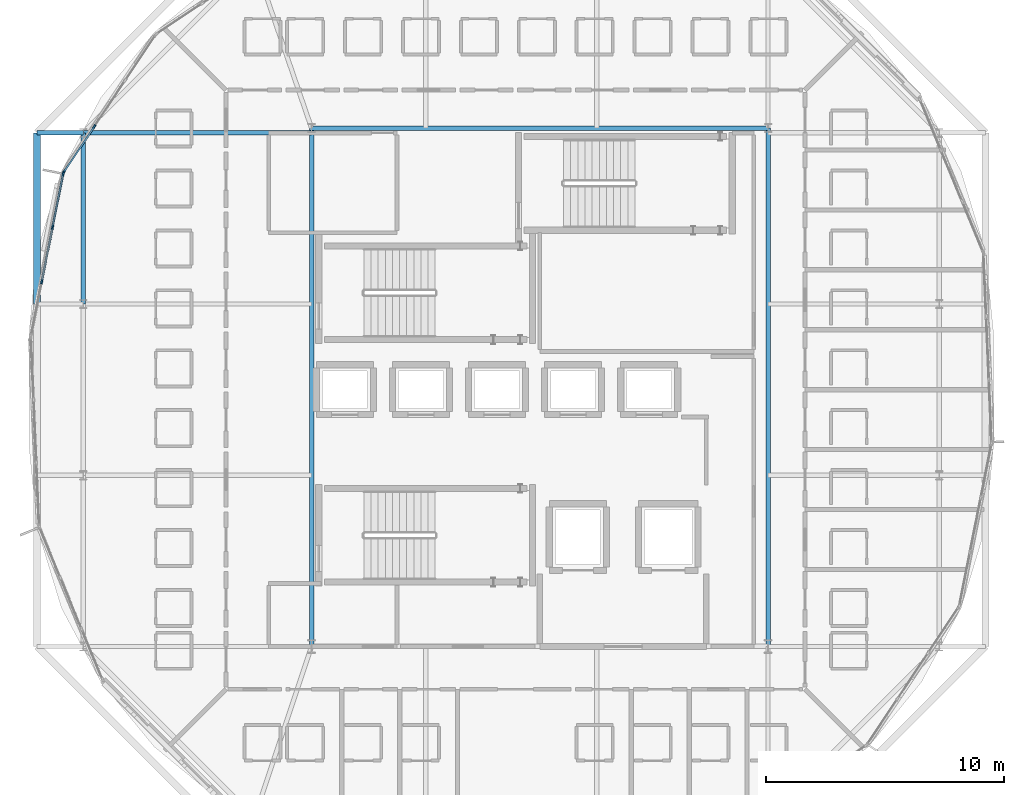
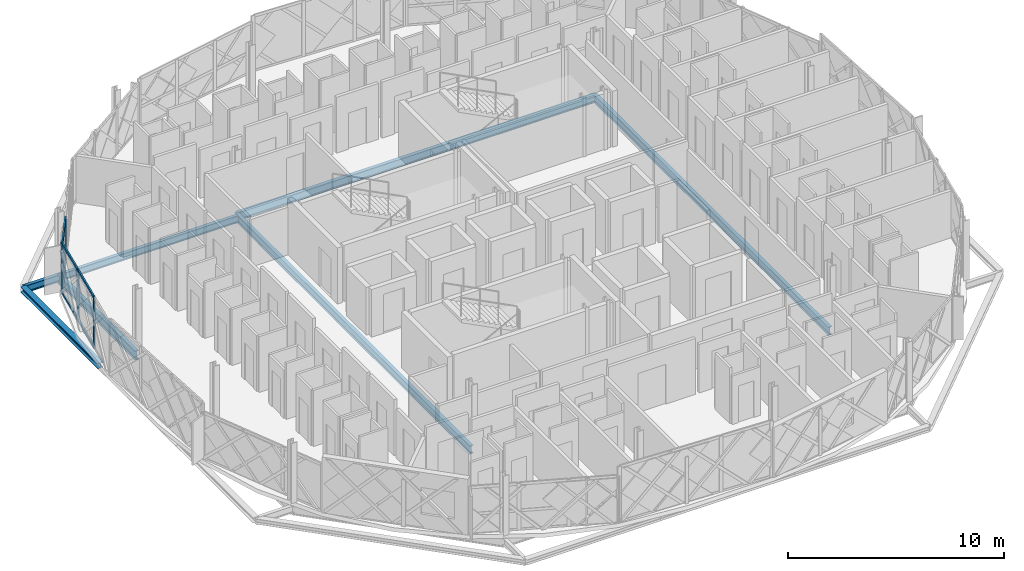
# One storey, part 6 of 24: 12 members, 7 beams, 2 elements without a shape of their own.
"""IFC4 building model written with IfcOpenShell, lengths in metres."""

from ifc_helpers import new_model, si_unit, direction, frame, origin, origin_2d, place, context, subcontext, project, spatial, rectangle, i_section, extrude, material, layer, layer_set, material_profile, profile_set, type_object, element, aggregate, save


model = new_model("IFC4")

# Units and contexts
model_context = context("Model", 3, precision=1e-05, world=origin(), true_north=direction((0.0, 1.0)))
body_context = subcontext(model_context, "Body", "Model", "MODEL_VIEW")
ifc_project = project(units=[si_unit("LENGTHUNIT", "METRE"), si_unit("AREAUNIT", "SQUARE_METRE"), si_unit("VOLUMEUNIT", "CUBIC_METRE"), si_unit("PLANEANGLEUNIT", "RADIAN"), si_unit("MASSUNIT", "GRAM", prefix="KILO")], contexts=[model_context])

# Site, building, storey
site_placement = place(None, origin())
site = spatial("IfcSite", under=ifc_project, at=site_placement, CompositionType="ELEMENT")
building_placement = place(site_placement, origin())
building = spatial("IfcBuilding", under=site, at=building_placement, Name="Zevrakil Square Congress Hotel", CompositionType="ELEMENT")
storey_placement = place(building_placement, frame((0.0, 0.0, 35.10009765625)))
storey = spatial("IfcBuildingStorey", under=building, at=storey_placement, Name="L10", CompositionType="ELEMENT", Elevation=35.10009765625)

# Beams
ifc_material_1 = material(Name="Steel S355", Category="steel")
ifc_material_profile_1 = material_profile(ifc_material_1, i_section(OverallWidth=0.18994140625, OverallDepth=0.449951171875, WebThickness=0.009521484375, FlangeThickness=0.0146484375, FilletRadius=0.02099609375, at=origin_2d()), Name="IPE 450")
ifc_profile_set_1 = profile_set([ifc_material_profile_1], Name="Steel S355")
beam_type_1 = type_object("IfcBeamType", Name="BM-IPE450", PredefinedType="BEAM", material=ifc_profile_set_1)
beam_1_placement = place(storey_placement, frame((156.0, 16.800048828125, -0.455078125), z_axis=(0.0, 1.0, 0.0), x_axis=(-1.0, 0.0, 0.0)))
element("IfcBeam", 1, at=beam_1_placement, inside=storey, type_object=beam_type_1, Name="L10 drum core perimeter tie beam DCB-02", PredefinedType="BEAM", context=body_context, shape_type="SweptSolid", body=[
    extrude(i_section(OverallWidth=0.18994140625, OverallDepth=0.449951171875, WebThickness=0.009521484375, FlangeThickness=0.0146484375, FilletRadius=0.02099609375, at=origin_2d()), origin(), (0.0, 0.0, 1.0), 21.800048828125),
])
beam_2_placement = place(storey_placement, frame((156.0, 38.60009765625, -0.455078125), z_axis=(-1.0, 0.0, 0.0), x_axis=(0.0, -1.0, 0.0)))
element("IfcBeam", 2, at=beam_2_placement, inside=storey, type_object=beam_type_1, Name="L10 drum core perimeter tie beam DCB-03", PredefinedType="BEAM", context=body_context, shape_type="SweptSolid", body=[
    extrude(i_section(OverallWidth=0.18994140625, OverallDepth=0.449951171875, WebThickness=0.009521484375, FlangeThickness=0.0146484375, FilletRadius=0.02099609375, at=origin_2d()), origin(), (0.0, 0.0, 1.0), 19.199951171875),
])
beam_3_placement = place(storey_placement, frame((136.800048828125, 38.60009765625, -0.455078125), z_axis=(0.0, -1.0, 0.0), x_axis=(1.0, 0.0, 0.0)))
element("IfcBeam", 3, at=beam_3_placement, inside=storey, type_object=beam_type_1, Name="L10 drum core perimeter tie beam DCB-04", PredefinedType="BEAM", context=body_context, shape_type="SweptSolid", body=[
    extrude(i_section(OverallWidth=0.18994140625, OverallDepth=0.449951171875, WebThickness=0.009521484375, FlangeThickness=0.0146484375, FilletRadius=0.02099609375, at=origin_2d()), origin(), (0.0, 0.0, 1.0), 21.800048828125),
])
ifc_material_2 = material(Name="Steel S355", Category="steel")
ifc_material_profile_2 = material_profile(ifc_material_2, i_section(OverallWidth=0.199951171875, OverallDepth=0.5, WebThickness=0.01025390625, FlangeThickness=0.01611328125, FilletRadius=0.02099609375, at=origin_2d()), Name="IPE 500")
ifc_profile_set_2 = profile_set([ifc_material_profile_2], Name="Steel S355")
beam_type_2 = type_object("IfcBeamType", Name="BM-IPE500", PredefinedType="BEAM", material=ifc_profile_set_2)
beam_4_placement = place(storey_placement, frame((127.199951171875, 38.39990234375, -0.47998046875), z_axis=(0.0, -1.0, 0.0), x_axis=(1.0, 0.0, 0.0)))
element("IfcBeam", 4, at=beam_4_placement, inside=storey, type_object=beam_type_2, Name="L10 drum ring girder DRB-13", PredefinedType="BEAM", context=body_context, shape_type="SweptSolid", body=[
    extrude(i_section(OverallWidth=0.199951171875, OverallDepth=0.5, WebThickness=0.01025390625, FlangeThickness=0.01611328125, FilletRadius=0.02099609375, at=origin_2d()), origin(), (0.0, 0.0, 1.0), 7.199951171875),
])

# Curtain wall, members
ifc_material_3 = material(Name="Aluminium Anodised Bronze", Category="aluminium")
ifc_layer = layer(ifc_material_3, 0.179931640625)
ifc_layer_set = layer_set([ifc_layer], Name="Aluminium Anodised Bronze")
curtain_wall_type = type_object("IfcCurtainWallType", Name="CW-L10-720", PredefinedType="USERDEFINED", material=ifc_layer_set)
curtain_wall_1_placement = place(storey_placement, origin())
curtain_wall_1 = element("IfcCurtainWall", 5, at=curtain_wall_1_placement, inside=storey, type_object=curtain_wall_type, Name="L10 diamond curtain wall CW-L10-0280", ObjectType="GLAZED CURTAIN WALL", PredefinedType="USERDEFINED")
ifc_material_4 = material(Name="Aluminium Anodised Bronze", Category="aluminium")
ifc_material_profile_3 = material_profile(ifc_material_4, rectangle(XDim=0.074951171875, YDim=0.14990234375, at=origin_2d()), Name="ALU 75x150")
ifc_profile_set_3 = profile_set([ifc_material_profile_3], Name="Aluminium Anodised Bronze")
member_type_1 = type_object("IfcMemberType", Name="CWM-ALU75x150", PredefinedType="USERDEFINED", material=ifc_profile_set_3)
member_1_placement = place(storey_placement, frame((127.6455078125, 38.634765625, 0.02978515625), z_axis=(-0.555653384358, -0.83141404634, 0.0), x_axis=(0.83141404634, -0.555653384358, 0.0)))
member_1 = element("IfcMember", 6, at=member_1_placement, type_object=member_type_1, Name="CW-118 transom 3.1", ObjectType="TRANSOM", PredefinedType="USERDEFINED", context=body_context, shape_type="SweptSolid", body=[
    extrude(rectangle(XDim=0.074951171875, YDim=0.14990234375, at=origin_2d()), origin(), (0.0, 0.0, 1.0), 2.2451171875),
])
member_2_placement = place(storey_placement, frame((127.6455078125, 38.634765625, 1.11279296875), z_axis=(-0.555653384358, -0.83141404634, 0.0), x_axis=(0.83141404634, -0.555653384358, 0.0)))
member_2 = element("IfcMember", 7, at=member_2_placement, type_object=member_type_1, Name="CW-118 transom 3.2", ObjectType="TRANSOM", PredefinedType="USERDEFINED", context=body_context, shape_type="SweptSolid", body=[
    extrude(rectangle(XDim=0.074951171875, YDim=0.14990234375, at=origin_2d()), origin(), (0.0, 0.0, 1.0), 2.2451171875),
])
member_3_placement = place(storey_placement, frame((127.6455078125, 38.634765625, 2.619873046875), z_axis=(-0.555653384358, -0.83141404634, 0.0), x_axis=(0.83141404634, -0.555653384358, 0.0)))
member_3 = element("IfcMember", 8, at=member_3_placement, type_object=member_type_1, Name="CW-118 transom 3.3", ObjectType="TRANSOM", PredefinedType="USERDEFINED", context=body_context, shape_type="SweptSolid", body=[
    extrude(rectangle(XDim=0.074951171875, YDim=0.14990234375, at=origin_2d()), origin(), (0.0, 0.0, 1.0), 2.2451171875),
])

curtain_wall_2_placement = place(storey_placement, origin())
curtain_wall_2 = element("IfcCurtainWall", 9, at=curtain_wall_2_placement, inside=storey, type_object=curtain_wall_type, Name="L10 diamond curtain wall CW-L10-0281", ObjectType="GLAZED CURTAIN WALL", PredefinedType="USERDEFINED")
member_4_placement = place(storey_placement, frame((126.35302734375, 36.6591796875, 0.02978515625), z_axis=(-0.195091300997, -0.980785085671, 0.0), x_axis=(0.980785085671, -0.195091300997, 0.0)))
member_4 = element("IfcMember", 10, at=member_4_placement, type_object=member_type_1, Name="CW-118 transom 1.1", ObjectType="TRANSOM", PredefinedType="USERDEFINED", context=body_context, shape_type="SweptSolid", body=[
    extrude(rectangle(XDim=0.074951171875, YDim=0.14990234375, at=origin_2d()), origin(), (0.0, 0.0, 1.0), 2.2451171875),
])
member_5_placement = place(storey_placement, frame((126.35302734375, 36.6591796875, 2.81982421875), z_axis=(-0.195091300997, -0.980785085671, 0.0), x_axis=(0.980785085671, -0.195091300997, 0.0)))
member_5 = element("IfcMember", 11, at=member_5_placement, type_object=member_type_1, Name="CW-118 transom 1.2", ObjectType="TRANSOM", PredefinedType="USERDEFINED", context=body_context, shape_type="SweptSolid", body=[
    extrude(rectangle(XDim=0.074951171875, YDim=0.14990234375, at=origin_2d()), origin(), (0.0, 0.0, 1.0), 2.2451171875),
])
member_6_placement = place(storey_placement, frame((125.9033203125, 34.398193359375, 0.02978515625), z_axis=(-0.195084227953, -0.980786492568, 0.0), x_axis=(0.980786492568, -0.195084227953, 0.0)))
member_6 = element("IfcMember", 12, at=member_6_placement, type_object=member_type_1, Name="CW-118 transom 2.1", ObjectType="TRANSOM", PredefinedType="USERDEFINED", context=body_context, shape_type="SweptSolid", body=[
    extrude(rectangle(XDim=0.074951171875, YDim=0.14990234375, at=origin_2d()), origin(), (0.0, 0.0, 1.0), 2.275146484375),
])
member_7_placement = place(storey_placement, frame((125.9033203125, 34.398193359375, 2.81982421875), z_axis=(-0.195084227953, -0.980786492568, 0.0), x_axis=(0.980786492568, -0.195084227953, 0.0)))
member_7 = element("IfcMember", 13, at=member_7_placement, type_object=member_type_1, Name="CW-118 transom 2.2", ObjectType="TRANSOM", PredefinedType="USERDEFINED", context=body_context, shape_type="SweptSolid", body=[
    extrude(rectangle(XDim=0.074951171875, YDim=0.14990234375, at=origin_2d()), origin(), (0.0, 0.0, 1.0), 2.275146484375),
])

# Member
ifc_material_5 = material(Name="Aluminium Anodised Bronze", Category="aluminium")
ifc_material_profile_4 = material_profile(ifc_material_5, rectangle(XDim=0.074951171875, YDim=0.179931640625, at=origin_2d()), Name="ALU 75x180")
ifc_profile_set_4 = profile_set([ifc_material_profile_4], Name="Aluminium Anodised Bronze")
member_type_2 = type_object("IfcMemberType", Name="CWM-ALU75x180", PredefinedType="MULLION", material=ifc_profile_set_4)
member_8_placement = place(storey_placement, frame((127.662109375, 38.65966796875, 0.0), z_axis=(0.0, 0.0, 1.0), x_axis=(0.831465693332, -0.555576098128, 0.0)))
member_8 = element("IfcMember", 14, at=member_8_placement, type_object=member_type_2, Name="CW-118 mullion 3", PredefinedType="MULLION", context=body_context, shape_type="SweptSolid", body=[
    extrude(rectangle(XDim=0.074951171875, YDim=0.179931640625, at=origin_2d()), origin(), (0.0, 0.0, 1.0), 2.64990234375),
])

member_9_placement = place(storey_placement, frame((126.38134765625, 36.7431640625, 0.0), z_axis=(0.0, 0.0, 1.0), x_axis=(0.831465693332, -0.555576098128, 0.0)))
member_9 = element("IfcMember", 15, at=member_9_placement, type_object=member_type_2, Name="CW-118 mullion 4", PredefinedType="MULLION", context=body_context, shape_type="SweptSolid", body=[
    extrude(rectangle(XDim=0.074951171875, YDim=0.179931640625, at=origin_2d()), origin(), (0.0, 0.0, 1.0), 2.64990234375),
])

aggregate(curtain_wall_1, [member_8, member_9, member_1, member_2, member_3])

member_10_placement = place(storey_placement, frame((126.35888671875, 36.688720703125, 0.0), z_axis=(0.0, 0.0, 1.0), x_axis=(0.980786557708, -0.195083900459, 0.0)))
member_10 = element("IfcMember", 16, at=member_10_placement, type_object=member_type_2, Name="CW-118 mullion 1", PredefinedType="MULLION", context=body_context, shape_type="SweptSolid", body=[
    extrude(rectangle(XDim=0.074951171875, YDim=0.179931640625, at=origin_2d()), origin(), (0.0, 0.0, 1.0), 2.849853515625),
])

member_11_placement = place(storey_placement, frame((125.9091796875, 34.427734375, 0.0), z_axis=(0.0, 0.0, 1.0), x_axis=(0.980786557708, -0.195083900459, 0.0)))
member_11 = element("IfcMember", 17, at=member_11_placement, type_object=member_type_2, Name="CW-118 mullion 2", PredefinedType="MULLION", context=body_context, shape_type="SweptSolid", body=[
    extrude(rectangle(XDim=0.074951171875, YDim=0.179931640625, at=origin_2d()), origin(), (0.0, 0.0, 1.0), 2.849853515625),
])

member_12_placement = place(storey_placement, frame((125.45361328125, 32.137451171875, 0.0), z_axis=(0.0, 0.0, 1.0), x_axis=(0.980786557708, -0.195083900459, 0.0)))
member_12 = element("IfcMember", 18, at=member_12_placement, type_object=member_type_2, Name="CW-118 mullion 3", PredefinedType="MULLION", context=body_context, shape_type="SweptSolid", body=[
    extrude(rectangle(XDim=0.074951171875, YDim=0.179931640625, at=origin_2d()), origin(), (0.0, 0.0, 1.0), 2.849853515625),
])

aggregate(curtain_wall_2, [member_10, member_11, member_12, member_4, member_5, member_6, member_7])

# Beams
ifc_material_6 = material(Name="Steel S355", Category="steel")
ifc_material_profile_5 = material_profile(ifc_material_6, i_section(OverallWidth=0.179931640625, OverallDepth=0.39990234375, WebThickness=0.008544921875, FlangeThickness=0.013427734375, FilletRadius=0.02099609375, at=origin_2d()), Name="IPE 400")
ifc_profile_set_5 = profile_set([ifc_material_profile_5], Name="Steel S355")
beam_type_3 = type_object("IfcBeamType", Name="JST-IPE400", PredefinedType="JOIST", material=ifc_profile_set_5)
beam_5_placement = place(storey_placement, frame((136.800048828125, 38.39990234375, -0.43017578125), z_axis=(-1.0, 0.0, 0.0), x_axis=(0.0, -1.0, 0.0)))
element("IfcBeam", 19, at=beam_5_placement, inside=storey, type_object=beam_type_3, Name="L10 drum radial floor beam DRI-13", PredefinedType="JOIST", context=body_context, shape_type="SweptSolid", body=[
    extrude(i_section(OverallWidth=0.179931640625, OverallDepth=0.39990234375, WebThickness=0.008544921875, FlangeThickness=0.013427734375, FilletRadius=0.02099609375, at=origin_2d()), origin(), (0.0, 0.0, 1.0), 9.60009765625),
])
beam_6_placement = place(storey_placement, frame((127.199951171875, 38.39990234375, -0.43017578125), z_axis=(-1.0, 0.0, 0.0), x_axis=(0.0, -1.0, 0.0)))
element("IfcBeam", 20, at=beam_6_placement, inside=storey, type_object=beam_type_3, Name="L10 drum radial edge cantilever beam DRO-13", PredefinedType="JOIST", context=body_context, shape_type="SweptSolid", body=[
    extrude(i_section(OverallWidth=0.179931640625, OverallDepth=0.39990234375, WebThickness=0.008544921875, FlangeThickness=0.013427734375, FilletRadius=0.02099609375, at=origin_2d()), origin(), (0.0, 0.0, 1.0), 1.94189453125),
])
ifc_material_7 = material(Name="Steel S355", Category="steel")
ifc_material_profile_6 = material_profile(ifc_material_7, i_section(OverallWidth=0.300048828125, OverallDepth=0.300048828125, WebThickness=0.010986328125, FlangeThickness=0.01904296875, FilletRadius=0.027099609375, at=origin_2d()), Name="HEB 300")
ifc_profile_set_6 = profile_set([ifc_material_profile_6], Name="Steel S355")
beam_type_4 = type_object("IfcBeamType", Name="SPD-RHS250", PredefinedType="SPANDREL", material=ifc_profile_set_6)
beam_7_placement = place(storey_placement, frame((125.258056640625, 38.39990234375, -0.380126953125), z_axis=(0.0, -1.0, 0.0), x_axis=(1.0, 0.0, 0.0)))
element("IfcBeam", 21, at=beam_7_placement, inside=storey, type_object=beam_type_4, Name="L10 drum edge spandrel beam DSP-12", PredefinedType="SPANDREL", context=body_context, shape_type="SweptSolid", body=[
    extrude(i_section(OverallWidth=0.300048828125, OverallDepth=0.300048828125, WebThickness=0.010986328125, FlangeThickness=0.01904296875, FilletRadius=0.027099609375, at=origin_2d()), origin(), (0.0, 0.0, 1.0), 7.199951171875),
])

save(model, "model.ifc")
